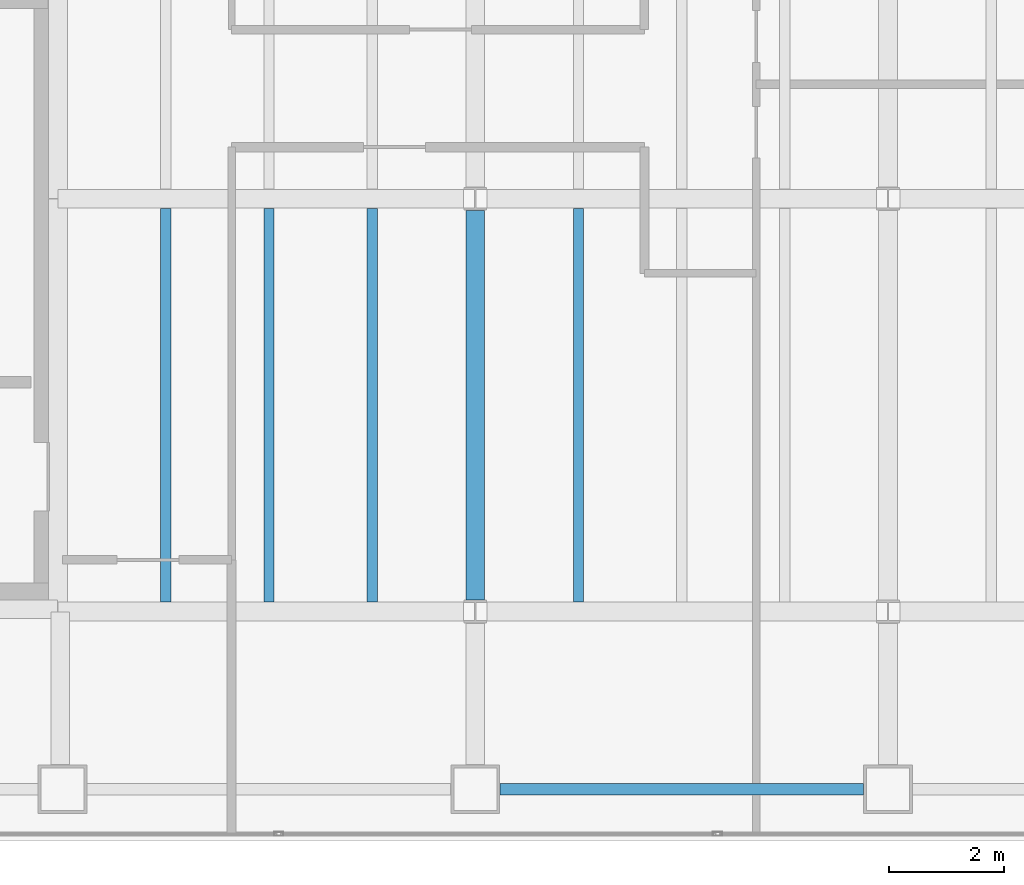
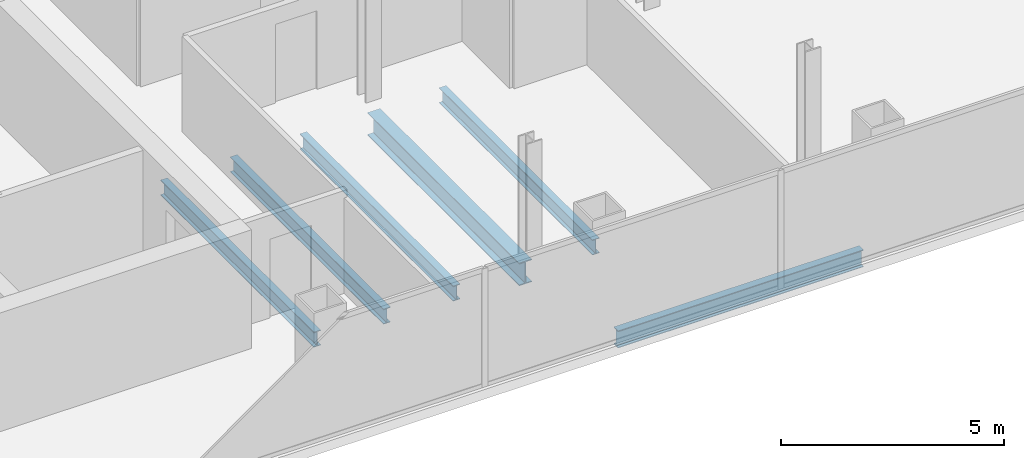
# One storey, part 5 of 23: 6 beams.
"""IFC4 building model written with IfcOpenShell, lengths in metres."""

from ifc_helpers import new_model, si_unit, direction, frame, origin, origin_2d, place, context, subcontext, project, spatial, i_section, extrude, material, material_profile, profile_set, type_object, element, save


model = new_model("IFC4")

# Units and contexts
model_context = context("Model", 3, precision=1e-05, world=origin(), true_north=direction((0.0, 1.0)))
body_context = subcontext(model_context, "Body", "Model", "MODEL_VIEW")
ifc_project = project(units=[si_unit("LENGTHUNIT", "METRE"), si_unit("AREAUNIT", "SQUARE_METRE"), si_unit("VOLUMEUNIT", "CUBIC_METRE"), si_unit("PLANEANGLEUNIT", "RADIAN"), si_unit("MASSUNIT", "GRAM", prefix="KILO")], contexts=[model_context])

# Site, building, storey
site_placement = place(None, origin())
site = spatial("IfcSite", under=ifc_project, at=site_placement, CompositionType="ELEMENT")
building_placement = place(site_placement, origin())
building = spatial("IfcBuilding", under=site, at=building_placement, Name="Cobrela Telecom Tower", CompositionType="ELEMENT")
storey_placement = place(building_placement, frame((0.0, 0.0, 180.25)))
storey = spatial("IfcBuildingStorey", under=building, at=storey_placement, Name="L45", CompositionType="ELEMENT", Elevation=180.25)

# Beams
ifc_material = material(Name="Steel ASTM A992 Grade 50", Category="steel")
ifc_material_profile_1 = material_profile(ifc_material, i_section(OverallWidth=0.327880859375, OverallDepth=0.6220703125, WebThickness=0.015380859375, FlangeThickness=0.0244140625, FilletRadius=0.014892578125, at=origin_2d()), Name="W24X131")
ifc_profile_set_1 = profile_set([ifc_material_profile_1], Name="Steel ASTM A992 Grade 50")
beam_type_1 = type_object("IfcBeamType", Name="BM-GIRD-06", PredefinedType="USERDEFINED", material=ifc_profile_set_1)
beam_1_placement = place(storey_placement, frame((21.60009765625, 7.404541015625, -0.571044921875), z_axis=(0.0, 1.0, 0.0), x_axis=(-1.0, 0.0, 0.0)))
element("IfcBeam", 1, at=beam_1_placement, inside=storey, type_object=beam_type_1, Name="L45 Primary Girder Y33", ObjectType="GIRDER", PredefinedType="USERDEFINED", context=body_context, shape_type="SweptSolid", body=[
    extrude(i_section(OverallWidth=0.327880859375, OverallDepth=0.6220703125, WebThickness=0.015380859375, FlangeThickness=0.0244140625, FilletRadius=0.014892578125, at=origin_2d()), origin(), (0.0, 0.0, 1.0), 6.791015625),
])
ifc_material_profile_2 = material_profile(ifc_material, i_section(OverallWidth=0.179931640625, OverallDepth=0.4169921875, WebThickness=0.010986328125, FlangeThickness=0.01806640625, FilletRadius=0.011962890625, at=origin_2d()), Name="W16X57")
ifc_profile_set_2 = profile_set([ifc_material_profile_2], Name="Steel ASTM A992 Grade 50")
beam_type_2 = type_object("IfcBeamType", Name="BM-JOIST-04", PredefinedType="JOIST", material=ifc_profile_set_2)
for number, where, z_axis, x_axis, name in (
    (2, (16.199951171875, 7.368896484375, -0.468505859375), (0.0, 1.0, 0.0), (-1.0, 0.0, 0.0), "L45 Secondary Composite Floor Beam J01"),
    (3, (18.0, 7.368896484375, -0.468505859375), (0.0, 1.0, 0.0), (-1.0, 0.0, 0.0), "L45 Secondary Composite Floor Beam J05"),
    (4, (19.800048828125, 7.368896484375, -0.468505859375), (0.0, 1.0, 0.0), (-1.0, 0.0, 0.0), "L45 Secondary Composite Floor Beam J09"),
    (5, (23.39990234375, 7.368896484375, -0.468505859375), (0.0, 1.0, 0.0), (-1.0, 0.0, 0.0), "L45 Secondary Composite Floor Beam J13"),
):
    element("IfcBeam", number, at=place(storey_placement, frame(where, z_axis=z_axis, x_axis=x_axis)), inside=storey, type_object=beam_type_2, Name=name, PredefinedType="JOIST", context=body_context, shape_type="SweptSolid", body=[
        extrude(i_section(OverallWidth=0.179931640625, OverallDepth=0.4169921875, WebThickness=0.010986328125, FlangeThickness=0.01806640625, FilletRadius=0.011962890625, at=origin_2d()), origin(), (0.0, 0.0, 1.0), 6.862060546875),
    ])
ifc_material_profile_3 = material_profile(ifc_material, i_section(OverallWidth=0.193115234375, OverallDepth=0.467041015625, WebThickness=0.011474609375, FlangeThickness=0.01904296875, FilletRadius=0.012939453125, at=origin_2d()), Name="W18X65")
ifc_profile_set_3 = profile_set([ifc_material_profile_3], Name="Steel ASTM A992 Grade 50")
beam_type_3 = type_object("IfcBeamType", Name="BM-SPAND-05", PredefinedType="SPANDREL", material=ifc_profile_set_3)
beam_2_placement = place(storey_placement, frame((22.030029296875, 4.10009765625, -0.493408203125), z_axis=(1.0, 0.0, 0.0), x_axis=(0.0, 1.0, 0.0)))
element("IfcBeam", 6, at=beam_2_placement, inside=storey, type_object=beam_type_3, Name="L45 Perimeter Spandrel X03", PredefinedType="SPANDREL", context=body_context, shape_type="SweptSolid", body=[
    extrude(i_section(OverallWidth=0.193115234375, OverallDepth=0.467041015625, WebThickness=0.011474609375, FlangeThickness=0.01904296875, FilletRadius=0.012939453125, at=origin_2d()), origin(), (0.0, 0.0, 1.0), 6.340087890625),
])

save(model, "model.ifc")
